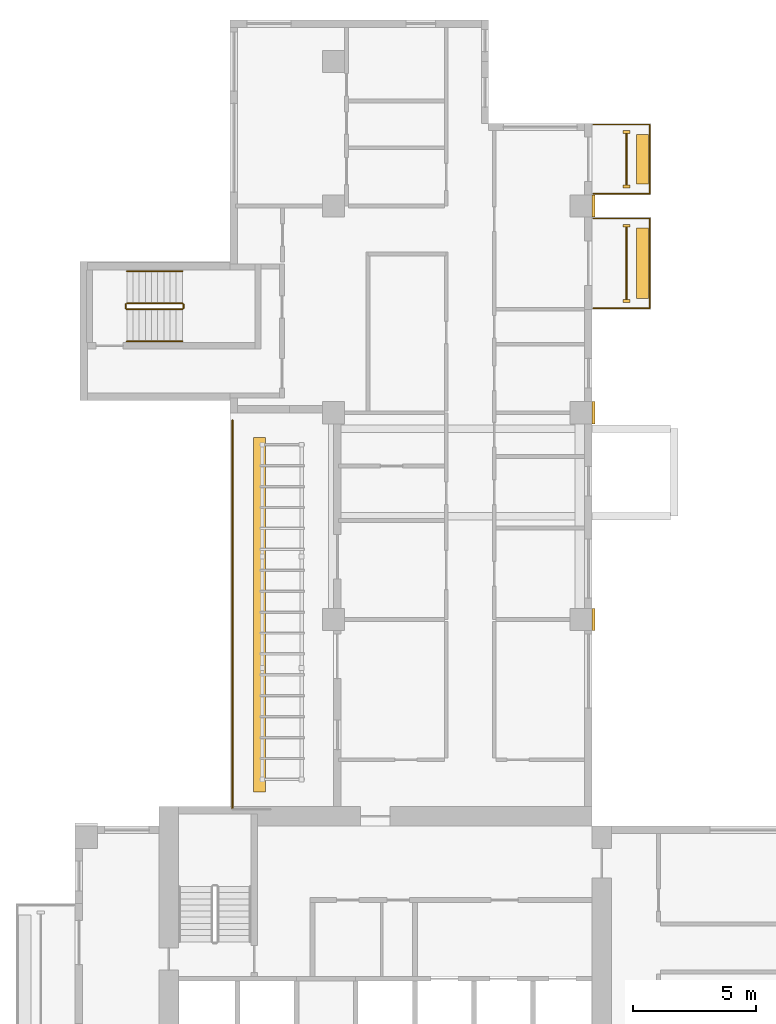
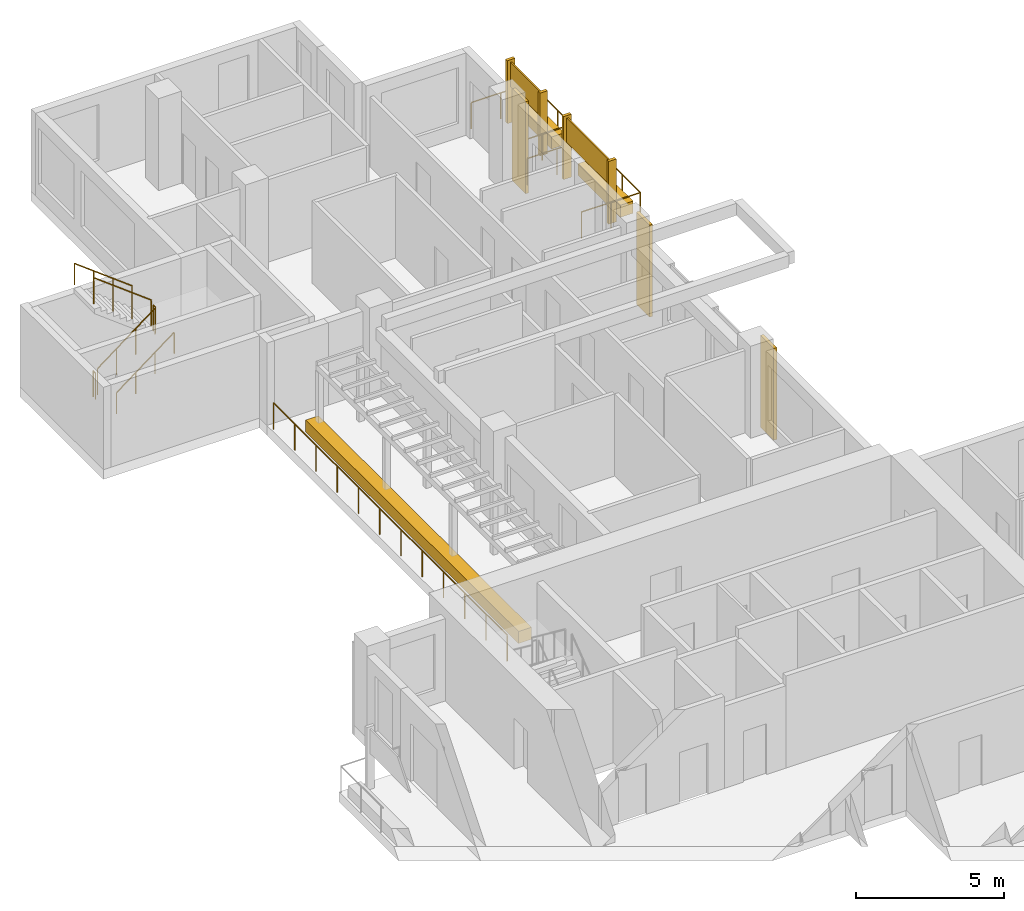
# One storey, part 14 of 14: 12 coverings, 9 railings.
"""IFC4 building model written with IfcOpenShell, lengths in metres."""

from ifc_helpers import new_model, si_unit, direction, frame, origin, origin_2d, place, context, subcontext, project, spatial, rectangle, circle, extrude, source, transform, mapped, material, type_object, element, save


model = new_model("IFC4")

# Units and contexts
model_context = context("Model", 3, precision=1e-05, world=origin(), true_north=direction((0.0, 1.0)))
body_context = subcontext(model_context, "Body", "Model", "MODEL_VIEW")
ifc_project = project(units=[si_unit("LENGTHUNIT", "METRE"), si_unit("AREAUNIT", "SQUARE_METRE"), si_unit("VOLUMEUNIT", "CUBIC_METRE"), si_unit("PLANEANGLEUNIT", "RADIAN"), si_unit("MASSUNIT", "GRAM", prefix="KILO")], contexts=[model_context])

# Site, building, storey
site_placement = place(None, origin())
site = spatial("IfcSite", under=ifc_project, at=site_placement, CompositionType="ELEMENT")
building_placement = place(site_placement, origin())
building = spatial("IfcBuilding", under=site, at=building_placement, Name="Aurelian Terraces", CompositionType="ELEMENT")
storey_placement = place(building_placement, frame((0.0, 0.0, 185.4)))
storey = spatial("IfcBuildingStorey", under=building, at=storey_placement, Name="L40", CompositionType="ELEMENT", Elevation=185.4)

# Coverings
ifc_material_1 = material(Name="Terracotta rainscreen cladding relief", Category="masonry")
covering_type_1 = type_object("IfcCoveringType", Name="FIN-TC", PredefinedType="CLADDING", material=ifc_material_1)
shared_shape_1 = source(origin(), body_context, "Body", "SweptSolid", [
    extrude(rectangle(XDim=0.3, YDim=0.12, at=origin_2d()), origin(), (0.0, 0.0, 1.0), 2.6),
])
for number, where, z_axis, x_axis, name in (
    (1, (22.4, 42.35, 0.0), (0.0, 0.0, 1.0), (1.0, 0.0, 0.0), "FIN L40 L40-F08-22.1"),
    (2, (22.4, 45.4, 0.0), (0.0, 0.0, 1.0), (1.0, 0.0, 0.0), "FIN L40 L40-F08-22.2"),
    (3, (22.4, 47.0, 0.0), (0.0, 0.0, 1.0), (1.0, 0.0, 0.0), "FIN L40 L40-F08-23.1"),
    (4, (22.4, 49.21, 0.0), (0.0, 0.0, 1.0), (1.0, 0.0, 0.0), "FIN L40 L40-F08-23.2"),
):
    element("IfcCovering", number, at=place(storey_placement, frame(where, z_axis=z_axis, x_axis=x_axis)), inside=storey, type_object=covering_type_1, Name=name, PredefinedType="CLADDING", context=body_context, shape_type="MappedRepresentation", body=[
        mapped(shared_shape_1, transform((0.0, 0.0, 0.0), scale=1.0)),
    ])
covering_type_2 = type_object("IfcCoveringType", Name="BAGUETTE-TC", PredefinedType="CLADDING", material=ifc_material_1)
shared_shape_2 = source(origin(), body_context, "Body", "SweptSolid", [
    extrude(rectangle(XDim=0.12, YDim=0.9, at=origin_2d()), origin(), (0.0, 0.0, 1.0), 3.8),
])
for number, where, z_axis, x_axis, name in (
    (5, (21.06, 29.4, -0.4), (0.0, 0.0, 1.0), (1.0, 0.0, 0.0), "BAGUETTE pier L40 7"),
    (6, (21.06, 37.8, -0.4), (0.0, 0.0, 1.0), (1.0, 0.0, 0.0), "BAGUETTE pier L40 8"),
    (7, (21.06, 46.2, -0.4), (0.0, 0.0, 1.0), (1.0, 0.0, 0.0), "BAGUETTE pier L40 9"),
):
    element("IfcCovering", number, at=place(storey_placement, frame(where, z_axis=z_axis, x_axis=x_axis)), inside=storey, type_object=covering_type_2, Name=name, PredefinedType="CLADDING", context=body_context, shape_type="MappedRepresentation", body=[
        mapped(shared_shape_2, transform((0.0, 0.0, 0.0), scale=1.0)),
    ])

# Railing
ifc_material_2 = material(Name="Anodised aluminium", Category="aluminium")
railing_type_1 = type_object("IfcRailingType", Name="GUARD-1100", PredefinedType="GUARDRAIL", material=ifc_material_2)
shared_shape_3 = source(origin(), body_context, "Body", "SweptSolid", [
    extrude(circle(Radius=0.024, at=origin_2d()), frame((0.0, 0.0, 1.076), z_axis=(1.0, 0.0, 0.0), x_axis=(0.0, 1.0, 0.0)), (0.0, 0.0, 1.0), 2.3),
    extrude(circle(Radius=0.024, at=origin_2d()), frame((2.3, 0.0, 1.076), z_axis=(0.0, 1.0, 0.0), x_axis=(-1.0, 0.0, 0.0)), (0.0, 0.0, 1.0), 3.65),
    extrude(circle(Radius=0.024, at=origin_2d()), frame((2.3, 3.65, 1.076), z_axis=(-1.0, 0.0, 0.0), x_axis=(0.0, -1.0, 0.0)), (0.0, 0.0, 1.0), 2.3),
    extrude(circle(Radius=0.021, at=origin_2d()), origin(), (0.0, 0.0, 1.0), 1.052),
    extrude(circle(Radius=0.021, at=origin_2d()), frame((1.15, 0.0, 0.0)), (0.0, 0.0, 1.0), 1.052),
    extrude(circle(Radius=0.021, at=origin_2d()), frame((2.3, 0.0, 0.0)), (0.0, 0.0, 1.0), 1.052),
    extrude(circle(Radius=0.021, at=origin_2d()), frame((2.3, 1.2167, 0.0)), (0.0, 0.0, 1.0), 1.052),
    extrude(circle(Radius=0.021, at=origin_2d()), frame((2.3, 2.4333, 0.0)), (0.0, 0.0, 1.0), 1.052),
    extrude(circle(Radius=0.021, at=origin_2d()), frame((2.3, 3.65, 0.0)), (0.0, 0.0, 1.0), 1.052),
    extrude(circle(Radius=0.021, at=origin_2d()), frame((1.15, 3.65, 0.0)), (0.0, 0.0, 1.0), 1.052),
    extrude(circle(Radius=0.021, at=origin_2d()), frame((0.0, 3.65, 0.0)), (0.0, 0.0, 1.0), 1.052),
])
railing_1_placement = place(storey_placement, frame((21.05, 42.05, 0.0)))
element("IfcRailing", 8, at=railing_1_placement, inside=storey, type_object=railing_type_1, Name="Balcony guard L40 F08.22", PredefinedType="GUARDRAIL", context=body_context, shape_type="MappedRepresentation", body=[
    mapped(shared_shape_3, transform((0.0, 0.0, 0.0), scale=1.0)),
])

# Coverings
ifc_material_3 = material(Name="Terracotta planter with planting soil", Category="masonry")
covering_type_3 = type_object("IfcCoveringType", Name="PLANTER-TROUGH", PredefinedType="USERDEFINED", material=ifc_material_3)
shared_shape_4 = source(origin(), body_context, "Body", "SweptSolid", [
    extrude(rectangle(XDim=0.5, YDim=2.85, at=origin_2d()), origin(), (0.0, 0.0, 1.0), 0.5),
])
covering_1_placement = place(storey_placement, frame((23.05, 43.875, 0.0), z_axis=(0.0, 0.0, 1.0), x_axis=(1.0, 0.0, 0.0)))
element("IfcCovering", 9, at=covering_1_placement, inside=storey, type_object=covering_type_3, Name="PLANTER L40 L40-F08-22", ObjectType="PLANTER", PredefinedType="USERDEFINED", context=body_context, shape_type="MappedRepresentation", body=[
    mapped(shared_shape_4, transform((0.0, 0.0, 0.0), scale=1.0)),
])
ifc_material_4 = material(Name="Terracotta rainscreen cladding", Category="masonry")
covering_type_4 = type_object("IfcCoveringType", Name="SCREEN-TC", PredefinedType="CLADDING", material=ifc_material_4)
shared_shape_5 = source(origin(), body_context, "Body", "SweptSolid", [
    extrude(rectangle(XDim=0.06, YDim=2.93, at=origin_2d()), origin(), (0.0, 0.0, 1.0), 1.0),
])
covering_2_placement = place(storey_placement, frame((22.4, 43.875, 1.5), z_axis=(0.0, 0.0, 1.0), x_axis=(1.0, 0.0, 0.0)))
element("IfcCovering", 10, at=covering_2_placement, inside=storey, type_object=covering_type_4, Name="SCREEN L40 L40-F08-22", PredefinedType="CLADDING", context=body_context, shape_type="MappedRepresentation", body=[
    mapped(shared_shape_5, transform((0.0, 0.0, 0.0), scale=1.0)),
])

# Railing
shared_shape_6 = source(origin(), body_context, "Body", "SweptSolid", [
    extrude(circle(Radius=0.024, at=origin_2d()), frame((0.0, 0.0, 1.076), z_axis=(1.0, 0.0, 0.0), x_axis=(0.0, 1.0, 0.0)), (0.0, 0.0, 1.0), 2.3),
    extrude(circle(Radius=0.024, at=origin_2d()), frame((2.3, 0.0, 1.076), z_axis=(0.0, 1.0, 0.0), x_axis=(-1.0, 0.0, 0.0)), (0.0, 0.0, 1.0), 2.81),
    extrude(circle(Radius=0.024, at=origin_2d()), frame((2.3, 2.81, 1.076), z_axis=(-1.0, 0.0, 0.0), x_axis=(0.0, -1.0, 0.0)), (0.0, 0.0, 1.0), 2.3),
    extrude(circle(Radius=0.021, at=origin_2d()), origin(), (0.0, 0.0, 1.0), 1.052),
    extrude(circle(Radius=0.021, at=origin_2d()), frame((1.15, 0.0, 0.0)), (0.0, 0.0, 1.0), 1.052),
    extrude(circle(Radius=0.021, at=origin_2d()), frame((2.3, 0.0, 0.0)), (0.0, 0.0, 1.0), 1.052),
    extrude(circle(Radius=0.021, at=origin_2d()), frame((2.3, 0.9367, 0.0)), (0.0, 0.0, 1.0), 1.052),
    extrude(circle(Radius=0.021, at=origin_2d()), frame((2.3, 1.8733, 0.0)), (0.0, 0.0, 1.0), 1.052),
    extrude(circle(Radius=0.021, at=origin_2d()), frame((2.3, 2.81, 0.0)), (0.0, 0.0, 1.0), 1.052),
    extrude(circle(Radius=0.021, at=origin_2d()), frame((1.15, 2.81, 0.0)), (0.0, 0.0, 1.0), 1.052),
    extrude(circle(Radius=0.021, at=origin_2d()), frame((0.0, 2.81, 0.0)), (0.0, 0.0, 1.0), 1.052),
])
railing_2_placement = place(storey_placement, frame((21.05, 46.7, 0.0)))
element("IfcRailing", 11, at=railing_2_placement, inside=storey, type_object=railing_type_1, Name="Balcony guard L40 F08.23", PredefinedType="GUARDRAIL", context=body_context, shape_type="MappedRepresentation", body=[
    mapped(shared_shape_6, transform((0.0, 0.0, 0.0), scale=1.0)),
])

# Coverings
shared_shape_7 = source(origin(), body_context, "Body", "SweptSolid", [
    extrude(rectangle(XDim=0.5, YDim=2.01, at=origin_2d()), origin(), (0.0, 0.0, 1.0), 0.5),
])
covering_3_placement = place(storey_placement, frame((23.05, 48.105, 0.0), z_axis=(0.0, 0.0, 1.0), x_axis=(1.0, 0.0, 0.0)))
element("IfcCovering", 12, at=covering_3_placement, inside=storey, type_object=covering_type_3, Name="PLANTER L40 L40-F08-23", ObjectType="PLANTER", PredefinedType="USERDEFINED", context=body_context, shape_type="MappedRepresentation", body=[
    mapped(shared_shape_7, transform((0.0, 0.0, 0.0), scale=1.0)),
])
shared_shape_8 = source(origin(), body_context, "Body", "SweptSolid", [
    extrude(rectangle(XDim=0.06, YDim=2.09, at=origin_2d()), origin(), (0.0, 0.0, 1.0), 1.0),
])
covering_4_placement = place(storey_placement, frame((22.4, 48.105, 1.5), z_axis=(0.0, 0.0, 1.0), x_axis=(1.0, 0.0, 0.0)))
element("IfcCovering", 13, at=covering_4_placement, inside=storey, type_object=covering_type_4, Name="SCREEN L40 L40-F08-23", PredefinedType="CLADDING", context=body_context, shape_type="MappedRepresentation", body=[
    mapped(shared_shape_8, transform((0.0, 0.0, 0.0), scale=1.0)),
])

# Railing
shared_shape_9 = source(origin(), body_context, "Body", "SweptSolid", [
    extrude(circle(Radius=0.024, at=origin_2d()), frame((0.0, 0.0, 1.076), z_axis=(0.0, 1.0, 0.0), x_axis=(-1.0, 0.0, 0.0)), (0.0, 0.0, 1.0), 15.81),
    extrude(circle(Radius=0.021, at=origin_2d()), origin(), (0.0, 0.0, 1.0), 1.052),
    extrude(circle(Radius=0.021, at=origin_2d()), frame((0.0, 1.4373, 0.0)), (0.0, 0.0, 1.0), 1.052),
    extrude(circle(Radius=0.021, at=origin_2d()), frame((0.0, 2.8745, 0.0)), (0.0, 0.0, 1.0), 1.052),
    extrude(circle(Radius=0.021, at=origin_2d()), frame((0.0, 4.3118, 0.0)), (0.0, 0.0, 1.0), 1.052),
    extrude(circle(Radius=0.021, at=origin_2d()), frame((0.0, 5.7491, 0.0)), (0.0, 0.0, 1.0), 1.052),
    extrude(circle(Radius=0.021, at=origin_2d()), frame((0.0, 7.1864, 0.0)), (0.0, 0.0, 1.0), 1.052),
    extrude(circle(Radius=0.021, at=origin_2d()), frame((0.0, 8.6236, 0.0)), (0.0, 0.0, 1.0), 1.052),
    extrude(circle(Radius=0.021, at=origin_2d()), frame((0.0, 10.0609, 0.0)), (0.0, 0.0, 1.0), 1.052),
    extrude(circle(Radius=0.021, at=origin_2d()), frame((0.0, 11.4982, 0.0)), (0.0, 0.0, 1.0), 1.052),
    extrude(circle(Radius=0.021, at=origin_2d()), frame((0.0, 12.9355, 0.0)), (0.0, 0.0, 1.0), 1.052),
    extrude(circle(Radius=0.021, at=origin_2d()), frame((0.0, 14.3727, 0.0)), (0.0, 0.0, 1.0), 1.052),
    extrude(circle(Radius=0.021, at=origin_2d()), frame((0.0, 15.81, 0.0)), (0.0, 0.0, 1.0), 1.052),
])
railing_3_placement = place(storey_placement, frame((6.39, 21.69, 0.0)))
element("IfcRailing", 14, at=railing_3_placement, inside=storey, type_object=railing_type_1, Name="Terrace guard L40 SKY-06-T1.2", PredefinedType="GUARDRAIL", context=body_context, shape_type="MappedRepresentation", body=[
    mapped(shared_shape_9, transform((0.0, 0.0, 0.0), scale=1.0)),
])

# Covering
shared_shape_10 = source(origin(), body_context, "Body", "SweptSolid", [
    extrude(rectangle(XDim=0.5, YDim=14.41, at=origin_2d()), origin(), (0.0, 0.0, 1.0), 0.5),
])
covering_5_placement = place(storey_placement, frame((7.49, 29.595, 0.0), z_axis=(0.0, 0.0, 1.0), x_axis=(1.0, 0.0, 0.0)))
element("IfcCovering", 15, at=covering_5_placement, inside=storey, type_object=covering_type_3, Name="PLANTER L40 terrace SKY-06-T1-1.1", ObjectType="PLANTER", PredefinedType="USERDEFINED", context=body_context, shape_type="MappedRepresentation", body=[
    mapped(shared_shape_10, transform((0.0, 0.0, 0.0), scale=1.0)),
])

# Railings
ifc_material_5 = material(Name="Stainless steel", Category="steel")
railing_type_2 = type_object("IfcRailingType", Name="Stair guard 1100", PredefinedType="GUARDRAIL", material=ifc_material_5)
shared_shape_11 = source(origin(), body_context, "Body", "SweptSolid", [
    extrude(circle(Radius=0.024, at=origin_2d()), frame((0.0, 0.0, 1.076), z_axis=(0.0, 1.0, 0.0), x_axis=(-1.0, 0.0, 0.0)), (0.0, 0.0, 1.0), 0.15),
    extrude(circle(Radius=0.021, at=origin_2d()), origin(), (0.0, 0.0, 1.0), 1.052),
    extrude(circle(Radius=0.021, at=origin_2d()), frame((0.0, 0.15, 0.0)), (0.0, 0.0, 1.0), 1.052),
])
for number, where, name in (
    (16, (4.4, 42.05, 1.9), "L40 S3 stair guard 2"),
    (17, (2.05, 42.05, 0.0), "L40 S3 stair guard 4"),
):
    element("IfcRailing", number, at=place(storey_placement, frame(where)), inside=storey, type_object=railing_type_2, Name=name, PredefinedType="GUARDRAIL", context=body_context, shape_type="MappedRepresentation", body=[
        mapped(shared_shape_11, transform((0.0, 0.0, 0.0), scale=1.0)),
    ])
shared_shape_12 = source(origin(), body_context, "Body", "SweptSolid", [
    extrude(circle(Radius=0.024, at=origin_2d()), frame((0.0, 0.0, 1.076), z_axis=(0.796162194123, 0.0, 0.605083267534), x_axis=(0.0, 1.0, 0.0)), (0.0, 0.0, 1.0), 2.8261),
    extrude(circle(Radius=0.021, at=origin_2d()), origin(), (0.0, 0.0, 1.0), 1.052),
    extrude(circle(Radius=0.021, at=origin_2d()), frame((0.75, 0.0, 0.57)), (0.0, 0.0, 1.0), 1.052),
    extrude(circle(Radius=0.021, at=origin_2d()), frame((1.5, 0.0, 1.14)), (0.0, 0.0, 1.0), 1.052),
    extrude(circle(Radius=0.021, at=origin_2d()), frame((2.25, 0.0, 1.71)), (0.0, 0.0, 1.0), 1.052),
])
railing_4_placement = place(storey_placement, frame((2.1, 42.0, 0.19)))
element("IfcRailing", 18, at=railing_4_placement, inside=storey, type_object=railing_type_2, Name="L40 S3 stair guard 1", PredefinedType="GUARDRAIL", context=body_context, shape_type="MappedRepresentation", body=[
    mapped(shared_shape_12, transform((0.0, 0.0, 0.0), scale=1.0)),
])
shared_shape_13 = source(origin(), body_context, "Body", "SweptSolid", [
    extrude(circle(Radius=0.024, at=origin_2d()), frame((0.0, 0.0, 1.076), z_axis=(-0.796162194123, 0.0, 0.605083267534), x_axis=(0.0, -1.0, 0.0)), (0.0, 0.0, 1.0), 2.8261),
    extrude(circle(Radius=0.021, at=origin_2d()), origin(), (0.0, 0.0, 1.0), 1.052),
    extrude(circle(Radius=0.021, at=origin_2d()), frame((-0.75, 0.0, 0.57)), (0.0, 0.0, 1.0), 1.052),
    extrude(circle(Radius=0.021, at=origin_2d()), frame((-1.5, 0.0, 1.14)), (0.0, 0.0, 1.0), 1.052),
    extrude(circle(Radius=0.021, at=origin_2d()), frame((-2.25, 0.0, 1.71)), (0.0, 0.0, 1.0), 1.052),
])
railing_5_placement = place(storey_placement, frame((4.35, 42.25, 2.09)))
element("IfcRailing", 19, at=railing_5_placement, inside=storey, type_object=railing_type_2, Name="L40 S3 stair guard 3", PredefinedType="GUARDRAIL", context=body_context, shape_type="MappedRepresentation", body=[
    mapped(shared_shape_13, transform((0.0, 0.0, 0.0), scale=1.0)),
])
railing_type_3 = type_object("IfcRailingType", Name="Stair handrail", PredefinedType="HANDRAIL", material=ifc_material_5)
shared_shape_14 = source(origin(), body_context, "Body", "SweptSolid", [
    extrude(circle(Radius=0.024, at=origin_2d()), frame((0.0, 0.0, 0.876), z_axis=(0.796162194123, 0.0, 0.605083267534), x_axis=(0.0, 1.0, 0.0)), (0.0, 0.0, 1.0), 2.8261),
    extrude(circle(Radius=0.021, at=origin_2d()), origin(), (0.0, 0.0, 1.0), 0.852),
    extrude(circle(Radius=0.021, at=origin_2d()), frame((0.75, 0.0, 0.57)), (0.0, 0.0, 1.0), 0.852),
    extrude(circle(Radius=0.021, at=origin_2d()), frame((1.5, 0.0, 1.14)), (0.0, 0.0, 1.0), 0.852),
    extrude(circle(Radius=0.021, at=origin_2d()), frame((2.25, 0.0, 1.71)), (0.0, 0.0, 1.0), 0.852),
])
railing_6_placement = place(storey_placement, frame((2.1, 40.7, 0.19)))
element("IfcRailing", 20, at=railing_6_placement, inside=storey, type_object=railing_type_3, Name="L40 S3 stair handrail 1", PredefinedType="HANDRAIL", context=body_context, shape_type="MappedRepresentation", body=[
    mapped(shared_shape_14, transform((0.0, 0.0, 0.0), scale=1.0)),
])
shared_shape_15 = source(origin(), body_context, "Body", "SweptSolid", [
    extrude(circle(Radius=0.024, at=origin_2d()), frame((0.0, 0.0, 0.876), z_axis=(-0.796162194123, 0.0, 0.605083267534), x_axis=(0.0, -1.0, 0.0)), (0.0, 0.0, 1.0), 2.8261),
    extrude(circle(Radius=0.021, at=origin_2d()), origin(), (0.0, 0.0, 1.0), 0.852),
    extrude(circle(Radius=0.021, at=origin_2d()), frame((-0.75, 0.0, 0.57)), (0.0, 0.0, 1.0), 0.852),
    extrude(circle(Radius=0.021, at=origin_2d()), frame((-1.5, 0.0, 1.14)), (0.0, 0.0, 1.0), 0.852),
    extrude(circle(Radius=0.021, at=origin_2d()), frame((-2.25, 0.0, 1.71)), (0.0, 0.0, 1.0), 0.852),
])
railing_7_placement = place(storey_placement, frame((4.35, 43.55, 2.09)))
element("IfcRailing", 21, at=railing_7_placement, inside=storey, type_object=railing_type_3, Name="L40 S3 stair handrail 2", PredefinedType="HANDRAIL", context=body_context, shape_type="MappedRepresentation", body=[
    mapped(shared_shape_15, transform((0.0, 0.0, 0.0), scale=1.0)),
])

save(model, "model.ifc")
